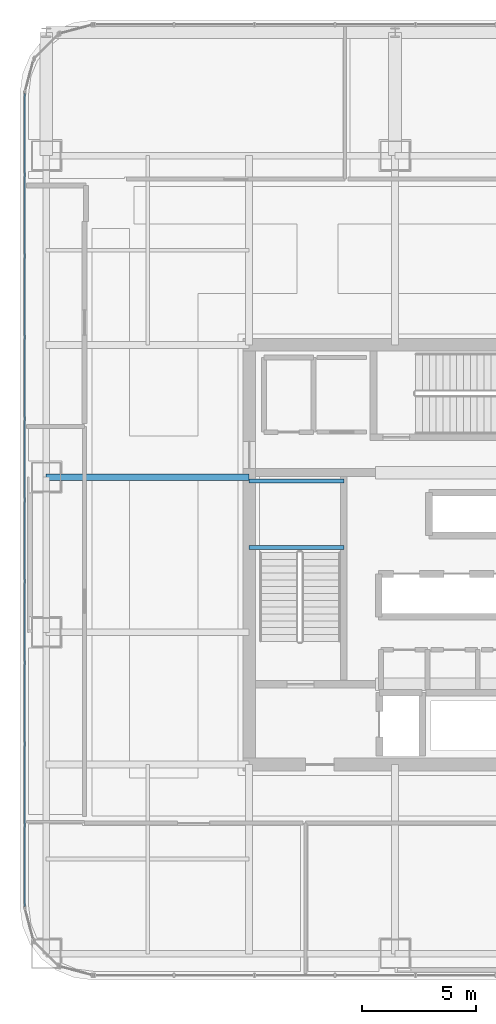
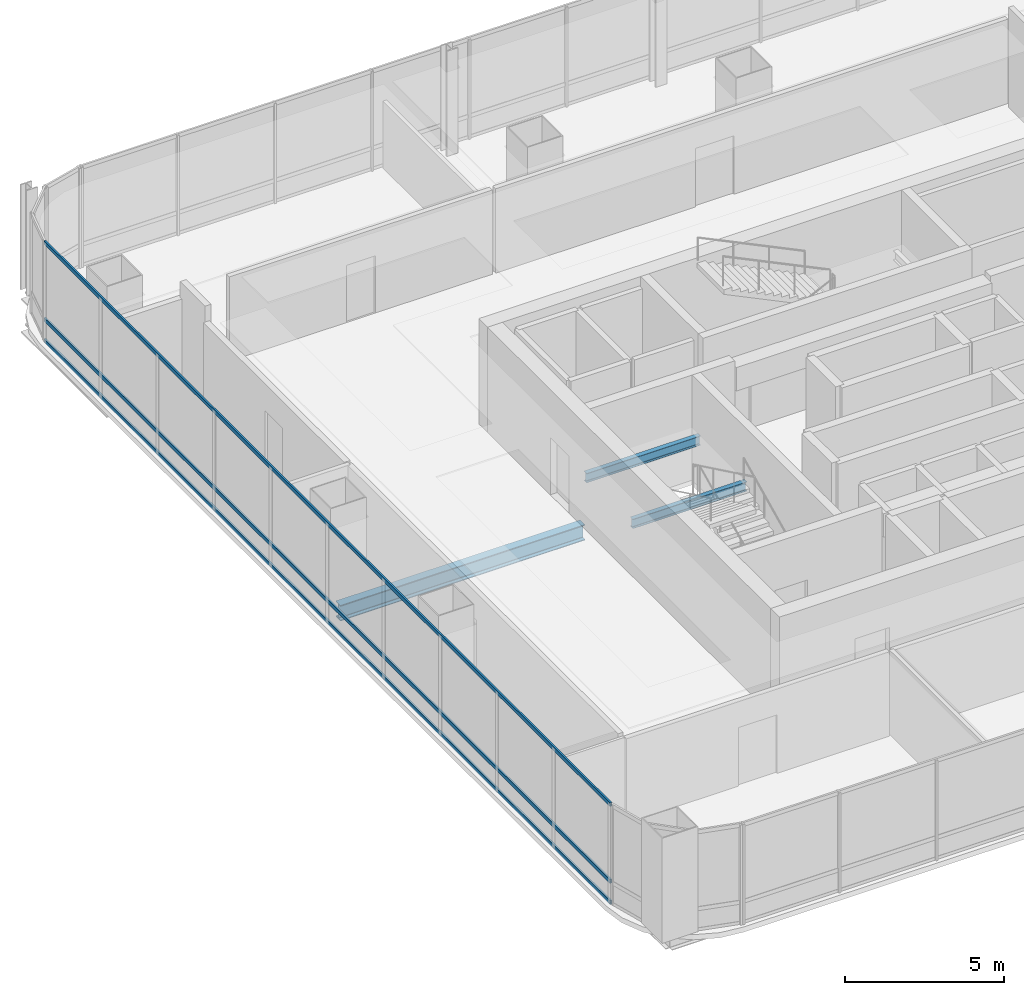
# One storey, part 11 of 42: 3 beams, 3 members, 1 element without a shape of its own.
"""IFC4 building model written with IfcOpenShell, lengths in metres."""

from ifc_helpers import new_model, si_unit, direction, frame, origin, origin_2d, place, context, subcontext, project, spatial, hollow_rectangle, i_section, extrude, material, material_profile, profile_set, type_object, element, aggregate, save


model = new_model("IFC4")

# Units and contexts
model_context = context("Model", 3, precision=1e-05, world=origin(), true_north=direction((0.0, 1.0)))
body_context = subcontext(model_context, "Body", "Model", "MODEL_VIEW")
ifc_project = project(units=[si_unit("LENGTHUNIT", "METRE"), si_unit("AREAUNIT", "SQUARE_METRE"), si_unit("VOLUMEUNIT", "CUBIC_METRE"), si_unit("PLANEANGLEUNIT", "RADIAN"), si_unit("MASSUNIT", "GRAM", prefix="KILO")], contexts=[model_context])

# Site, building, storey
site_placement = place(None, origin())
site = spatial("IfcSite", under=ifc_project, at=site_placement, CompositionType="ELEMENT")
building_placement = place(site_placement, origin())
building = spatial("IfcBuilding", under=site, at=building_placement, Name="Punatoya Terracotta Tower", CompositionType="ELEMENT")
storey_placement = place(building_placement, frame((0.0, 0.0, 255.449951171875)))
storey = spatial("IfcBuildingStorey", under=building, at=storey_placement, Name="L60", CompositionType="ELEMENT", Elevation=255.449951171875)

# Beams
ifc_material_1 = material(Name="Steel S355", Category="steel")
ifc_material_profile_1 = material_profile(ifc_material_1, i_section(OverallWidth=0.300048828125, OverallDepth=0.60009765625, WebThickness=0.015380859375, FlangeThickness=0.030029296875, FilletRadius=0.01806640625, at=origin_2d()))
ifc_profile_set_1 = profile_set([ifc_material_profile_1], Name="Steel S355")
beam_type_1 = type_object("IfcBeamType", Name="BM-PRI-600", PredefinedType="BEAM", material=ifc_profile_set_1)
beam_placement = place(storey_placement, frame((-19.10009765625, 3.39990234375, -0.5), z_axis=(1.0, 0.0, 0.0), x_axis=(0.0, 1.0, 0.0)))
element("IfcBeam", 1, at=beam_placement, inside=storey, type_object=beam_type_1, Name="BM-L60-PR-WE", PredefinedType="BEAM", context=body_context, shape_type="SweptSolid", body=[
    extrude(i_section(OverallWidth=0.300048828125, OverallDepth=0.60009765625, WebThickness=0.015380859375, FlangeThickness=0.030029296875, FilletRadius=0.01806640625, at=origin_2d()), origin(), (0.0, 0.0, 1.0), 8.900146484375),
])
ifc_material_profile_2 = material_profile(ifc_material_1, i_section(OverallWidth=0.169921875, OverallDepth=0.360107421875, WebThickness=0.008056640625, FlangeThickness=0.0126953125, FilletRadius=0.01806640625, at=origin_2d()))
ifc_profile_set_2 = profile_set([ifc_material_profile_2], Name="Steel S355")
beam_type_2 = type_object("IfcBeamType", Name="BM-SEC-360", PredefinedType="JOIST", material=ifc_profile_set_2)
for number, where, z_axis, x_axis, name in (
    (2, (-10.199951171875, 0.320068359375, 1.64501953125), (1.0, 0.0, 0.0), (0.0, 1.0, 0.0), "BM-L60-ST-1-LD1A"),
    (3, (-10.199951171875, 3.22998046875, 1.64501953125), (1.0, 0.0, 0.0), (0.0, 1.0, 0.0), "BM-L60-ST-1-LD1B"),
):
    element("IfcBeam", number, at=place(storey_placement, frame(where, z_axis=z_axis, x_axis=x_axis)), inside=storey, type_object=beam_type_2, Name=name, PredefinedType="JOIST", context=body_context, shape_type="SweptSolid", body=[
        extrude(i_section(OverallWidth=0.169921875, OverallDepth=0.360107421875, WebThickness=0.008056640625, FlangeThickness=0.0126953125, FilletRadius=0.01806640625, at=origin_2d()), origin(), (0.0, 0.0, 1.0), 4.14990234375),
    ])

# Curtain wall, members
ifc_material_2 = material(Name="Aluminium 6063-T6 + Double Low-E Glass", Category="aluminium")
curtain_wall_type = type_object("IfcCurtainWallType", Name="CW-M3", PredefinedType="NOTDEFINED", material=ifc_material_2)
curtain_wall_placement = place(storey_placement, origin())
curtain_wall = element("IfcCurtainWall", 4, at=curtain_wall_placement, inside=storey, type_object=curtain_wall_type, Name="L60 Curtain Wall CW-L60-W13-1", PredefinedType="NOTDEFINED")
ifc_material_3 = material(Name="Aluminium 6063-T6", Category="aluminium")
ifc_material_profile_3 = material_profile(ifc_material_3, hollow_rectangle(XDim=0.068115234375, YDim=0.14990234375, WallThickness=0.00390625, at=origin_2d()))
ifc_profile_set_3 = profile_set([ifc_material_profile_3], Name="Aluminium 6063-T6")
member_type = type_object("IfcMemberType", Name="CW-TRN-TYP", PredefinedType="USERDEFINED", material=ifc_profile_set_3)
member_1_placement = place(storey_placement, frame((-20.050048828125, 20.23681640625, 0.0400390625), z_axis=(0.0, -1.0, 0.0), x_axis=(1.0, 0.0, 0.0)))
member_1 = element("IfcMember", 5, at=member_1_placement, type_object=member_type, Name="CW-L60-W13-1 Transom 1", ObjectType="TRANSOM", PredefinedType="USERDEFINED", context=body_context, shape_type="SweptSolid", body=[
    extrude(hollow_rectangle(XDim=0.068115234375, YDim=0.14990234375, WallThickness=0.00390625, at=origin_2d()), origin(), (0.0, 0.0, 1.0), 35.673828125),
])
member_2_placement = place(storey_placement, frame((-20.050048828125, 20.23681640625, 0.85009765625), z_axis=(0.0, -1.0, 0.0), x_axis=(1.0, 0.0, 0.0)))
member_2 = element("IfcMember", 6, at=member_2_placement, type_object=member_type, Name="CW-L60-W13-1 Transom 2", ObjectType="TRANSOM", PredefinedType="USERDEFINED", context=body_context, shape_type="SweptSolid", body=[
    extrude(hollow_rectangle(XDim=0.068115234375, YDim=0.14990234375, WallThickness=0.00390625, at=origin_2d()), origin(), (0.0, 0.0, 1.0), 35.673828125),
])
member_3_placement = place(storey_placement, frame((-20.050048828125, 20.23681640625, 3.81005859375), z_axis=(0.0, -1.0, 0.0), x_axis=(1.0, 0.0, 0.0)))
member_3 = element("IfcMember", 7, at=member_3_placement, type_object=member_type, Name="CW-L60-W13-1 Transom 3", ObjectType="TRANSOM", PredefinedType="USERDEFINED", context=body_context, shape_type="SweptSolid", body=[
    extrude(hollow_rectangle(XDim=0.068115234375, YDim=0.14990234375, WallThickness=0.00390625, at=origin_2d()), origin(), (0.0, 0.0, 1.0), 35.673828125),
])
aggregate(curtain_wall, [member_1, member_2, member_3])

save(model, "model.ifc")
